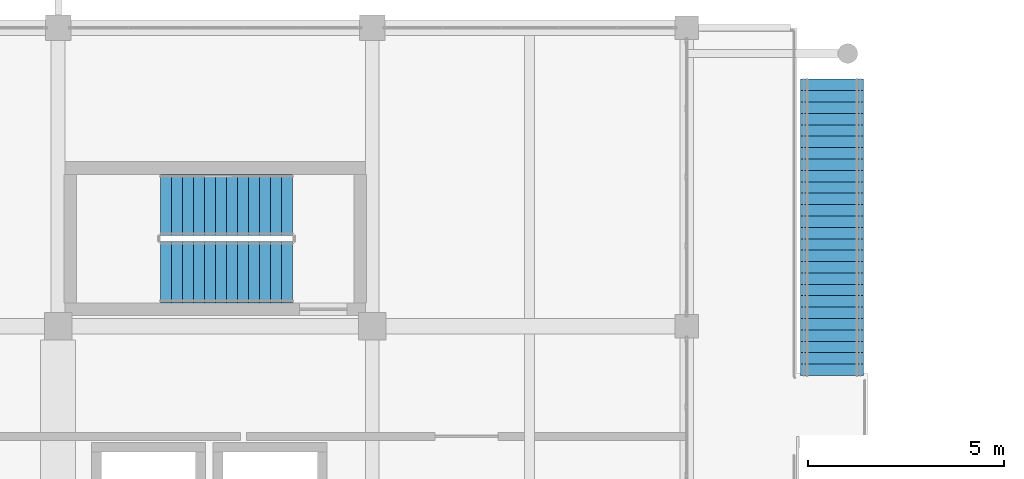
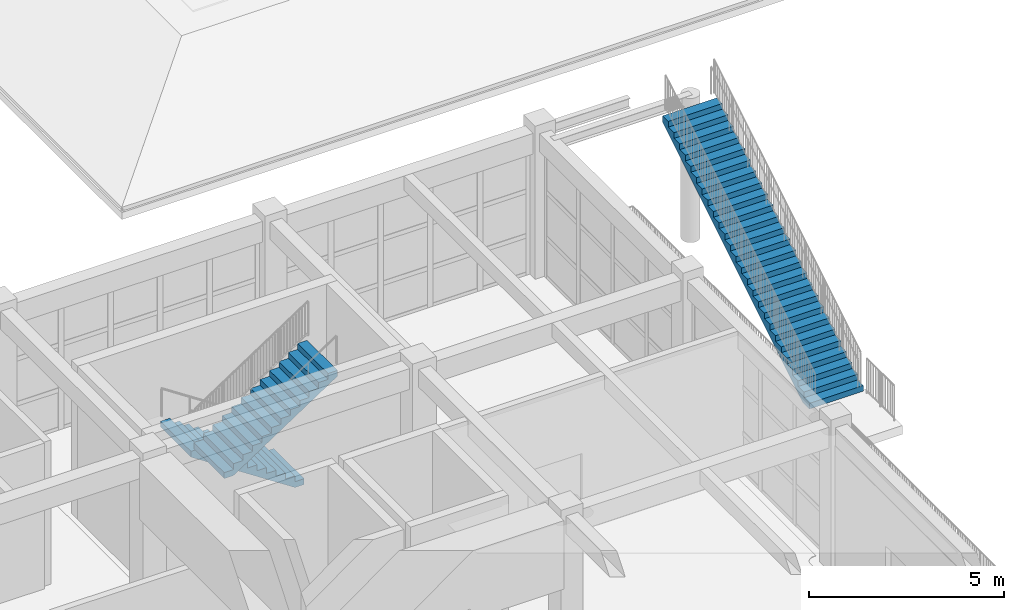
# One storey, part 40 of 50: 3 stair flights, 2 elements without a shape of their own.
"""IFC4 building model written with IfcOpenShell, lengths in metres."""

from ifc_helpers import new_model, si_unit, direction, frame, origin, place, context, subcontext, project, spatial, polyline, outline, extrude, material, type_object, element, aggregate, save


model = new_model("IFC4")

# Units and contexts
model_context = context("Model", 3, precision=1e-05, world=origin(), true_north=direction((0.0, 1.0)))
body_context = subcontext(model_context, "Body", "Model", "MODEL_VIEW")
ifc_project = project(units=[si_unit("LENGTHUNIT", "METRE"), si_unit("AREAUNIT", "SQUARE_METRE"), si_unit("VOLUMEUNIT", "CUBIC_METRE"), si_unit("PLANEANGLEUNIT", "RADIAN"), si_unit("MASSUNIT", "GRAM", prefix="KILO")], contexts=[model_context])

# Site, building, storey
site_placement = place(None, origin())
site = spatial("IfcSite", under=ifc_project, at=site_placement, CompositionType="ELEMENT")
building_placement = place(site_placement, origin())
building = spatial("IfcBuilding", under=site, at=building_placement, Name="Zantavel Square City Hall", CompositionType="ELEMENT")
storey_placement = place(building_placement, frame((0.0, 0.0, 18.89990234375)))
storey = spatial("IfcBuildingStorey", under=building, at=storey_placement, Name="L05", CompositionType="ELEMENT", Elevation=18.89990234375)

# Stair, stair flights
ifc_material_1 = material(Name="Concrete C35/45", Category="concrete")
stair_type_1 = type_object("IfcStairType", Name="Enclosed Core Dogleg Stair L05 H4800", PredefinedType="HALF_TURN_STAIR", material=ifc_material_1)
stair_1_placement = place(storey_placement, origin())
stair_1 = element("IfcStair", 1, at=stair_1_placement, inside=storey, type_object=stair_type_1, Name="L05 Exit Stair 6 Central East Core", PredefinedType="HALF_TURN_STAIR")
stair_flight_type_1 = type_object("IfcStairFlightType", Name="Enclosed Core Stair Flight L05 W1560", PredefinedType="STRAIGHT", material=ifc_material_1)
stair_flight_1_placement = place(storey_placement, frame((101.969970703125, 63.889892578125, 0.0), z_axis=(0.0, 0.0, 1.0), x_axis=(-1.0, 0.0, 0.0)))
stair_flight_1 = element("IfcStairFlight", 2, at=stair_flight_1_placement, type_object=stair_flight_type_1, Name="ST6 flight 1", NumberOfRisers=13, NumberOfTreads=12, PredefinedType="STRAIGHT", RiserHeight=0.184615385, TreadLength=0.28, context=body_context, shape_type="SweptSolid", body=[
    extrude(outline(polyline([(0.0, 0.0), (0.0, 0.1845703125), (0.280029296875, 0.1845703125), (0.280029296875, 0.369140625), (0.56005859375, 0.369140625), (0.56005859375, 0.553955078125), (0.840087890625, 0.553955078125), (0.840087890625, 0.738525390625), (1.1201171875, 0.738525390625), (1.1201171875, 0.923095703125), (1.39990234375, 0.923095703125), (1.39990234375, 1.107666015625), (1.679931640625, 1.107666015625), (1.679931640625, 1.292236328125), (1.9599609375, 1.292236328125), (1.9599609375, 1.476806640625), (2.239990234375, 1.476806640625), (2.239990234375, 1.66162109375), (2.52001953125, 1.66162109375), (2.52001953125, 1.84619140625), (2.800048828125, 1.84619140625), (2.800048828125, 2.03076171875), (3.080078125, 2.03076171875), (3.080078125, 2.21533203125), (3.360107421875, 2.21533203125), (3.360107421875, 2.39990234375), (3.360107421875, 2.035888671875), (0.272216796875, 0.0), (0.0, 0.0)])), frame((0.0, 0.780029296875, 0.0), z_axis=(0.0, -1.0, 0.0), x_axis=(1.0, 0.0, 0.0)), (0.0, 0.0, 1.0), 1.56005859375),
])
stair_flight_2_placement = place(storey_placement, frame((98.610107421875, 62.179931640625, 2.400146484375), z_axis=(0.0, 0.0, 1.0), x_axis=(1.0, 0.0, 0.0)))
stair_flight_2 = element("IfcStairFlight", 3, at=stair_flight_2_placement, type_object=stair_flight_type_1, Name="ST6 flight 2", NumberOfRisers=13, NumberOfTreads=12, PredefinedType="STRAIGHT", RiserHeight=0.184615385, TreadLength=0.28, context=body_context, shape_type="SweptSolid", body=[
    extrude(outline(polyline([(0.0, 0.0), (0.0, 0.1845703125), (0.280029296875, 0.1845703125), (0.280029296875, 0.369140625), (0.56005859375, 0.369140625), (0.56005859375, 0.553955078125), (0.840087890625, 0.553955078125), (0.840087890625, 0.738525390625), (1.1201171875, 0.738525390625), (1.1201171875, 0.923095703125), (1.39990234375, 0.923095703125), (1.39990234375, 1.107666015625), (1.679931640625, 1.107666015625), (1.679931640625, 1.292236328125), (1.9599609375, 1.292236328125), (1.9599609375, 1.476806640625), (2.239990234375, 1.476806640625), (2.239990234375, 1.66162109375), (2.52001953125, 1.66162109375), (2.52001953125, 1.84619140625), (2.800048828125, 1.84619140625), (2.800048828125, 2.03076171875), (3.080078125, 2.03076171875), (3.080078125, 2.21533203125), (3.360107421875, 2.21533203125), (3.360107421875, 2.39990234375), (3.360107421875, 2.035888671875), (0.272216796875, 0.0), (0.0, 0.0)])), frame((0.0, 0.780029296875, 0.0), z_axis=(0.0, -1.0, 0.0), x_axis=(1.0, 0.0, 0.0)), (0.0, 0.0, 1.0), 1.56005859375),
])
aggregate(stair_1, [stair_flight_1, stair_flight_2])

# Stair, stair flight
ifc_material_2 = material(Name="Precast concrete C40/50", Category="concrete")
stair_type_2 = type_object("IfcStairType", Name="White Cantera Terrace Stair L05-L06 W1600", PredefinedType="STRAIGHT_RUN_STAIR", material=ifc_material_2)
stair_2_placement = place(storey_placement, origin())
stair_2 = element("IfcStair", 4, at=stair_2_placement, inside=storey, type_object=stair_type_2, Name="Outdoor Cantera Tray Terrace Stair ST-TR3", PredefinedType="STRAIGHT_RUN_STAIR")
stair_flight_type_2 = type_object("IfcStairFlightType", Name="White Cantera Terrace Stair Flight L05-L06 W1600", PredefinedType="STRAIGHT", material=ifc_material_2)
stair_flight_3_placement = place(storey_placement, frame((115.699951171875, 59.550048828125, 0.0), z_axis=(0.0, 0.0, 1.0), x_axis=(0.0, 1.0, 0.0)))
stair_flight_3 = element("IfcStairFlight", 5, at=stair_flight_3_placement, type_object=stair_flight_type_2, Name="Outdoor Terrace Stair ST-TR3 Flight", NumberOfRisers=27, NumberOfTreads=26, PredefinedType="STRAIGHT", RiserHeight=0.177778, TreadLength=0.29, context=body_context, shape_type="SweptSolid", body=[
    extrude(outline(polyline([(0.0, 0.0), (0.0, 0.177734375), (0.2900390625, 0.177734375), (0.2900390625, 0.35546875), (0.580078125, 0.35546875), (0.580078125, 0.533447265625), (0.8701171875, 0.533447265625), (0.8701171875, 0.711181640625), (1.159912109375, 0.711181640625), (1.159912109375, 0.888916015625), (1.449951171875, 0.888916015625), (1.449951171875, 1.066650390625), (1.739990234375, 1.066650390625), (1.739990234375, 1.244384765625), (2.030029296875, 1.244384765625), (2.030029296875, 1.422119140625), (2.320068359375, 1.422119140625), (2.320068359375, 1.60009765625), (2.610107421875, 1.60009765625), (2.610107421875, 1.77783203125), (2.89990234375, 1.77783203125), (2.89990234375, 1.95556640625), (3.18994140625, 1.95556640625), (3.18994140625, 2.13330078125), (3.47998046875, 2.13330078125), (3.47998046875, 2.31103515625), (3.77001953125, 2.31103515625), (3.77001953125, 2.489013671875), (4.06005859375, 2.489013671875), (4.06005859375, 2.666748046875), (4.35009765625, 2.666748046875), (4.35009765625, 2.844482421875), (4.639892578125, 2.844482421875), (4.639892578125, 3.022216796875), (4.929931640625, 3.022216796875), (4.929931640625, 3.199951171875), (5.219970703125, 3.199951171875), (5.219970703125, 3.377685546875), (5.510009765625, 3.377685546875), (5.510009765625, 3.5556640625), (5.800048828125, 3.5556640625), (5.800048828125, 3.7333984375), (6.090087890625, 3.7333984375), (6.090087890625, 3.9111328125), (6.3798828125, 3.9111328125), (6.3798828125, 4.0888671875), (6.669921875, 4.0888671875), (6.669921875, 4.2666015625), (6.9599609375, 4.2666015625), (6.9599609375, 4.4443359375), (7.25, 4.4443359375), (7.25, 4.622314453125), (7.5400390625, 4.622314453125), (7.5400390625, 4.800048828125), (7.5400390625, 4.4111328125), (0.34423828125, 0.0), (0.0, 0.0)])), frame((0.0, 0.800048828125, 0.0), z_axis=(0.0, -1.0, 0.0), x_axis=(1.0, 0.0, 0.0)), (0.0, 0.0, 1.0), 1.60009765625),
])
aggregate(stair_2, [stair_flight_3])

save(model, "model.ifc")
